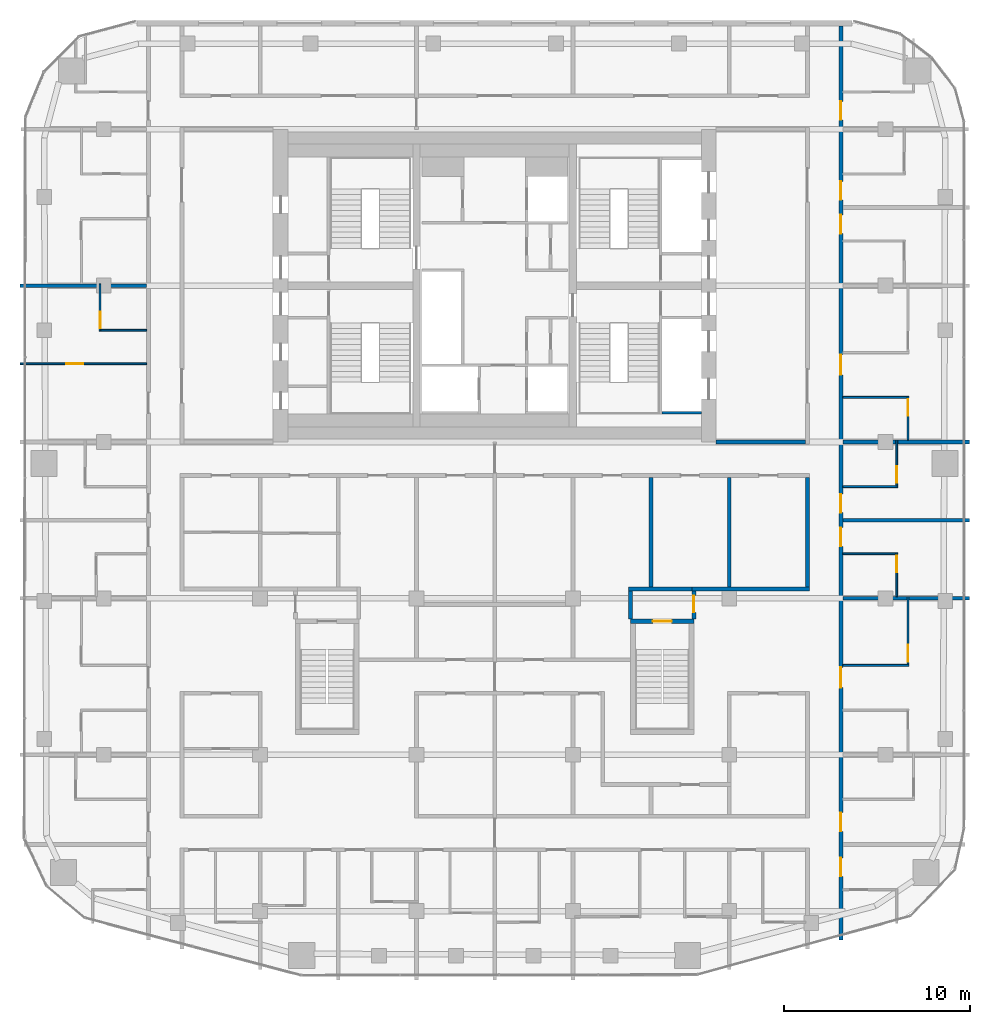
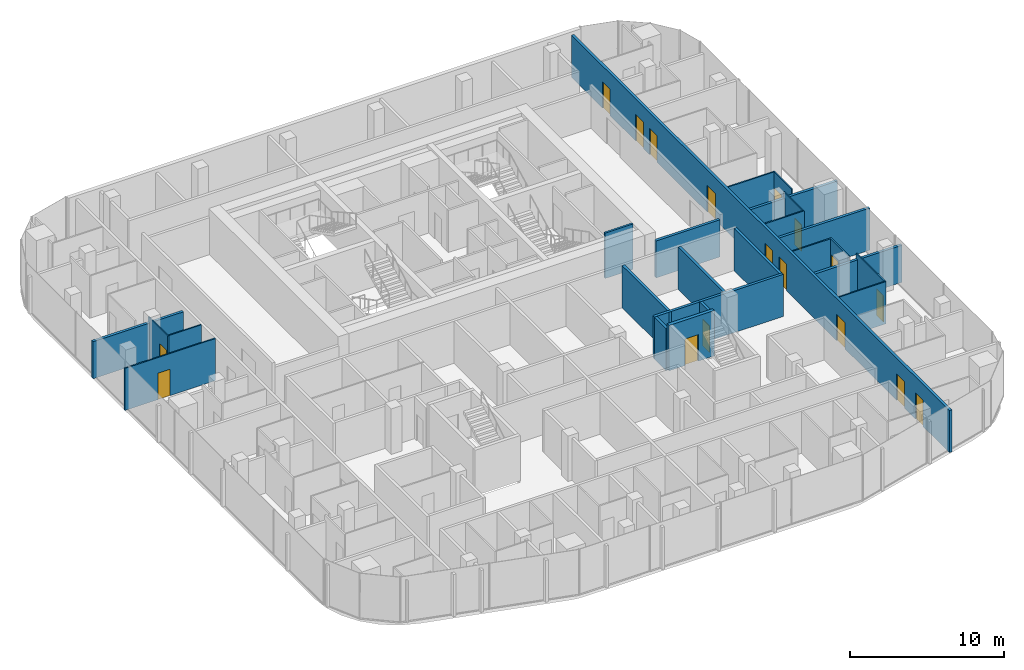
# One storey, part 17 of 22: 26 walls, 17 doors, 17 openings.
"""IFC4 building model written with IfcOpenShell, lengths in metres."""

from ifc_helpers import new_model, si_unit, direction, frame, frame_2d, origin, place, context, subcontext, project, spatial, rectangle, extrude, material, layer, layer_set, type_object, element, fill, save


model = new_model("IFC4")

# Units and contexts
model_context = context("Model", 3, precision=1e-05, world=origin(), true_north=direction((0.0, 1.0)))
body_context = subcontext(model_context, "Body", "Model", "MODEL_VIEW")
ifc_project = project(units=[si_unit("LENGTHUNIT", "METRE"), si_unit("AREAUNIT", "SQUARE_METRE"), si_unit("VOLUMEUNIT", "CUBIC_METRE"), si_unit("PLANEANGLEUNIT", "RADIAN"), si_unit("MASSUNIT", "GRAM", prefix="KILO")], contexts=[model_context])

# Site, building, storey
site_placement = place(None, origin())
site = spatial("IfcSite", under=ifc_project, at=site_placement, CompositionType="ELEMENT")
building_placement = place(site_placement, origin())
building = spatial("IfcBuilding", under=site, at=building_placement, Name="Marenta Gate Hotel Tower", CompositionType="ELEMENT")
storey_placement = place(building_placement, frame((0.0, 0.0, 209.300048828125)))
storey = spatial("IfcBuildingStorey", under=building, at=storey_placement, Name="L48", CompositionType="ELEMENT", Elevation=209.300048828125)

# Walls
ifc_material_1 = material(Name="Concrete blockwork", Category="masonry")
ifc_layer_1 = layer(ifc_material_1, 0.199951171875)
ifc_layer_set_1 = layer_set([ifc_layer_1], Name="Concrete blockwork")
wall_type_1 = type_object("IfcWallType", Name="Core boundary wall 200 REI 180", PredefinedType="PARTITIONING", material=ifc_layer_set_1)
wall_1_placement = place(storey_placement, frame((11.89990234375, 0.0, 0.0), z_axis=(0.0, 0.0, 1.0), x_axis=(1.0, 0.0, 0.0)))
element("IfcWall", 1, at=wall_1_placement, inside=storey, type_object=wall_type_1, Name="L48-CP-EW-ES", PredefinedType="PARTITIONING", context=body_context, shape_type="SweptSolid", body=[
    extrude(rectangle(XDim=4.800048828125, YDim=0.199951171875, at=frame_2d((2.39990234375, 0.0))), origin(), (0.0, 0.0, 1.0), 2.93994140625),
])
ifc_material_2 = material(Name="Concrete C40", Category="concrete")
ifc_layer_2 = layer(ifc_material_2, 0.14990234375)
ifc_layer_set_2 = layer_set([ifc_layer_2], Name="Concrete C40")
wall_type_2 = type_object("IfcWallType", Name="Core shaft wall 150 REI 180", PredefinedType="SHEAR", material=ifc_layer_set_2)
wall_2_placement = place(storey_placement, frame((9.0, 1.574951171875, 0.0), z_axis=(0.0, 0.0, 1.0), x_axis=(1.0, 0.0, 0.0)))
element("IfcWall", 2, at=wall_2_placement, inside=storey, type_object=wall_type_2, Name="L48-SHF-SW-ES-5", PredefinedType="SHEAR", context=body_context, shape_type="SweptSolid", body=[
    extrude(rectangle(XDim=2.10009765625, YDim=0.14990234375, at=frame_2d((1.050048828125, 0.0))), origin(), (0.0, 0.0, 1.0), 3.599853515625),
])

# Wall, opening, door
ifc_material_3 = material(Name="Concrete C40", Category="concrete")
ifc_layer_3 = layer(ifc_material_3, 0.25)
ifc_layer_set_3 = layer_set([ifc_layer_3], Name="Concrete C40")
wall_type_3 = type_object("IfcWallType", Name="Remote stair enclosure wall 250 REI 180", PredefinedType="SHEAR", material=ifc_layer_set_3)
wall_3_placement = place(storey_placement, frame((7.300048828125, -9.625, 0.099853515625), z_axis=(0.0, 0.0, 1.0), x_axis=(1.0, 0.0, 0.0)))
wall_3 = element("IfcWall", 3, at=wall_3_placement, inside=storey, type_object=wall_type_3, Name="L48-RS-Z3-2-W2", PredefinedType="SHEAR", context=body_context, shape_type="SweptSolid", body=[
    extrude(rectangle(XDim=3.39990234375, YDim=0.25, at=frame_2d((1.699951171875, 0.0))), origin(), (0.0, 0.0, 1.0), 3.60009765625),
])
opening_1_placement = place(wall_3_placement, frame((1.199951171875, 0.0, 0.0)))
opening_1 = element("IfcOpeningElement", 4, at=opening_1_placement, cuts=wall_3, Name="Opening VD", PredefinedType="OPENING", context=body_context, shape_type="SweptSolid", body=[
    extrude(rectangle(XDim=1.0, YDim=2.10009765625, at=frame_2d((0.5, 1.050048828125))), frame((0.0, 0.125, 0.0), z_axis=(0.0, -1.0, 0.0), x_axis=(1.0, 0.0, 0.0)), (0.0, 0.0, 1.0), 0.25),
])
ifc_material_4 = material(Name="Steel", Category="steel")
door_type_1 = type_object("IfcDoorType", Name="Stair vestibule door 1000x2100 FD60", OperationType="SINGLE_SWING_LEFT", PredefinedType="DOOR", material=ifc_material_4)
door_1_placement = place(opening_1_placement, origin())
door_1 = element("IfcDoor", 5, at=door_1_placement, inside=storey, type_object=door_type_1, Name="VD", OperationType="SINGLE_SWING_LEFT", OverallHeight=2.10009765625, OverallWidth=1.0, PredefinedType="DOOR", context=body_context, shape_type="SweptSolid", body=[
    extrude(rectangle(XDim=1.0, YDim=2.10009765625, at=frame_2d((0.5, 1.050048828125))), frame((0.0, 0.02490234375, 0.0), z_axis=(0.0, -1.0, 0.0), x_axis=(1.0, 0.0, 0.0)), (0.0, 0.0, 1.0), 0.050048828125),
])
fill(opening_1, door_1)

# Wall, openings, doors
ifc_material_5 = material(Name="Gypsum board on steel stud", Category="steel")
ifc_layer_4 = layer(ifc_material_5, 0.199951171875)
ifc_layer_set_4 = layer_set([ifc_layer_4], Name="Gypsum board on steel stud")
wall_type_4 = type_object("IfcWallType", Name="Room corridor wall 200 EI 60", PredefinedType="PARTITIONING", material=ifc_layer_set_4)
wall_4_placement = place(storey_placement, frame((18.60009765625, -26.7509765625, 0.0), z_axis=(0.0, 0.0, 1.0), x_axis=(0.0, 1.0, 0.0)))
wall_4 = element("IfcWall", 6, at=wall_4_placement, inside=storey, type_object=wall_type_4, Name="L48-PTN-W029", PredefinedType="PARTITIONING", context=body_context, shape_type="SweptSolid", body=[
    extrude(rectangle(XDim=49.091064453125, YDim=0.199951171875, at=frame_2d((24.54541015625, 0.0))), origin(), (0.0, 0.0, 1.0), 3.33984375),
])
opening_2_placement = place(wall_4_placement, frame((3.4130859375, 0.0, 0.0)))
opening_2 = element("IfcOpeningElement", 7, at=opening_2_placement, cuts=wall_4, Name="Opening G17-16", PredefinedType="OPENING", context=body_context, shape_type="SweptSolid", body=[
    extrude(rectangle(XDim=1.0, YDim=2.10009765625, at=frame_2d((0.5, 1.050048828125))), frame((0.0, 0.10009765625, 0.0), z_axis=(0.0, -1.0, 0.0), x_axis=(1.0, 0.0, 0.0)), (0.0, 0.0, 1.0), 0.199951171875),
])
opening_3_placement = place(wall_4_placement, frame((5.837890625, 0.0, 0.0)))
opening_3 = element("IfcOpeningElement", 8, at=opening_3_placement, cuts=wall_4, Name="Opening G17-18", PredefinedType="OPENING", context=body_context, shape_type="SweptSolid", body=[
    extrude(rectangle(XDim=1.0, YDim=2.10009765625, at=frame_2d((0.5, 1.050048828125))), frame((0.0, 0.10009765625, 0.0), z_axis=(0.0, -1.0, 0.0), x_axis=(1.0, 0.0, 0.0)), (0.0, 0.0, 1.0), 0.199951171875),
])
opening_4_placement = place(wall_4_placement, frame((13.551025390625, 0.0, 0.0)))
opening_4 = element("IfcOpeningElement", 9, at=opening_4_placement, cuts=wall_4, Name="Opening G17-20", PredefinedType="OPENING", context=body_context, shape_type="SweptSolid", body=[
    extrude(rectangle(XDim=1.10009765625, YDim=2.10009765625, at=frame_2d((0.550048828125, 1.050048828125))), frame((0.0, 0.10009765625, 0.0), z_axis=(0.0, -1.0, 0.0), x_axis=(1.0, 0.0, 0.0)), (0.0, 0.0, 1.0), 0.199951171875),
])
opening_5_placement = place(wall_4_placement, frame((21.15087890625, 0.0, 0.0)))
opening_5 = element("IfcOpeningElement", 10, at=opening_5_placement, cuts=wall_4, Name="Opening G17-23", PredefinedType="OPENING", context=body_context, shape_type="SweptSolid", body=[
    extrude(rectangle(XDim=1.0, YDim=2.10009765625, at=frame_2d((0.5, 1.050048828125))), frame((0.0, 0.10009765625, 0.0), z_axis=(0.0, -1.0, 0.0), x_axis=(1.0, 0.0, 0.0)), (0.0, 0.0, 1.0), 0.199951171875),
])
opening_6_placement = place(wall_4_placement, frame((22.950927734375, 0.0, 0.0)))
opening_6 = element("IfcOpeningElement", 11, at=opening_6_placement, cuts=wall_4, Name="Opening G17-25", PredefinedType="OPENING", context=body_context, shape_type="SweptSolid", body=[
    extrude(rectangle(XDim=1.0, YDim=2.10009765625, at=frame_2d((0.5, 1.050048828125))), frame((0.0, 0.10009765625, 0.0), z_axis=(0.0, -1.0, 0.0), x_axis=(1.0, 0.0, 0.0)), (0.0, 0.0, 1.0), 0.199951171875),
])
opening_7_placement = place(wall_4_placement, frame((30.35107421875, 0.0, 0.0)))
opening_7 = element("IfcOpeningElement", 12, at=opening_7_placement, cuts=wall_4, Name="Opening G17-27", PredefinedType="OPENING", context=body_context, shape_type="SweptSolid", body=[
    extrude(rectangle(XDim=1.10009765625, YDim=2.10009765625, at=frame_2d((0.550048828125, 1.050048828125))), frame((0.0, 0.10009765625, 0.0), z_axis=(0.0, -1.0, 0.0), x_axis=(1.0, 0.0, 0.0)), (0.0, 0.0, 1.0), 0.199951171875),
])
opening_8_placement = place(wall_4_placement, frame((37.950927734375, 0.0, 0.0)))
opening_8 = element("IfcOpeningElement", 13, at=opening_8_placement, cuts=wall_4, Name="Opening G17-30", PredefinedType="OPENING", context=body_context, shape_type="SweptSolid", body=[
    extrude(rectangle(XDim=1.0, YDim=2.10009765625, at=frame_2d((0.5, 1.050048828125))), frame((0.0, 0.10009765625, 0.0), z_axis=(0.0, -1.0, 0.0), x_axis=(1.0, 0.0, 0.0)), (0.0, 0.0, 1.0), 0.199951171875),
])
opening_9_placement = place(wall_4_placement, frame((39.7509765625, 0.0, 0.0)))
opening_9 = element("IfcOpeningElement", 14, at=opening_9_placement, cuts=wall_4, Name="Opening G17-32", PredefinedType="OPENING", context=body_context, shape_type="SweptSolid", body=[
    extrude(rectangle(XDim=1.0, YDim=2.10009765625, at=frame_2d((0.5, 1.050048828125))), frame((0.0, 0.10009765625, 0.0), z_axis=(0.0, -1.0, 0.0), x_axis=(1.0, 0.0, 0.0)), (0.0, 0.0, 1.0), 0.199951171875),
])
opening_10_placement = place(wall_4_placement, frame((44.051025390625, 0.0, 0.0)))
opening_10 = element("IfcOpeningElement", 15, at=opening_10_placement, cuts=wall_4, Name="Opening G17-34", PredefinedType="OPENING", context=body_context, shape_type="SweptSolid", body=[
    extrude(rectangle(XDim=1.0, YDim=2.10009765625, at=frame_2d((0.5, 1.050048828125))), frame((0.0, 0.10009765625, 0.0), z_axis=(0.0, -1.0, 0.0), x_axis=(1.0, 0.0, 0.0)), (0.0, 0.0, 1.0), 0.199951171875),
])
ifc_material_6 = material(Name="Timber door leaf", Category="wood")
door_type_2 = type_object("IfcDoorType", Name="Guest room door 1000x2100 EI 30", OperationType="NOTDEFINED", PredefinedType="DOOR", material=ifc_material_6)
door_2_placement = place(opening_2_placement, origin())
door_2 = element("IfcDoor", 16, at=door_2_placement, inside=storey, type_object=door_type_2, Name="L48-PD-D016", OperationType="SINGLE_SWING_RIGHT", OverallHeight=2.10009765625, OverallWidth=1.0, PredefinedType="DOOR", context=body_context, shape_type="SweptSolid", body=[
    extrude(rectangle(XDim=1.0, YDim=2.10009765625, at=frame_2d((0.5, 1.050048828125))), frame((0.0, 0.02490234375, 0.0), z_axis=(0.0, -1.0, 0.0), x_axis=(1.0, 0.0, 0.0)), (0.0, 0.0, 1.0), 0.050048828125),
])
fill(opening_2, door_2)
door_3_placement = place(opening_3_placement, origin())
door_3 = element("IfcDoor", 17, at=door_3_placement, inside=storey, type_object=door_type_2, Name="L48-PD-D018", OperationType="SINGLE_SWING_RIGHT", OverallHeight=2.10009765625, OverallWidth=1.0, PredefinedType="DOOR", context=body_context, shape_type="SweptSolid", body=[
    extrude(rectangle(XDim=1.0, YDim=2.10009765625, at=frame_2d((0.5, 1.050048828125))), frame((0.0, 0.02490234375, 0.0), z_axis=(0.0, -1.0, 0.0), x_axis=(1.0, 0.0, 0.0)), (0.0, 0.0, 1.0), 0.050048828125),
])
fill(opening_3, door_3)
door_4_placement = place(opening_5_placement, origin())
door_4 = element("IfcDoor", 18, at=door_4_placement, inside=storey, type_object=door_type_2, Name="L48-PD-D023", OperationType="SINGLE_SWING_LEFT", OverallHeight=2.10009765625, OverallWidth=1.0, PredefinedType="DOOR", context=body_context, shape_type="SweptSolid", body=[
    extrude(rectangle(XDim=1.0, YDim=2.10009765625, at=frame_2d((0.5, 1.050048828125))), frame((0.0, 0.02490234375, 0.0), z_axis=(0.0, -1.0, 0.0), x_axis=(1.0, 0.0, 0.0)), (0.0, 0.0, 1.0), 0.050048828125),
])
fill(opening_5, door_4)
door_5_placement = place(opening_6_placement, origin())
door_5 = element("IfcDoor", 19, at=door_5_placement, inside=storey, type_object=door_type_2, Name="L48-PD-D025", OperationType="SINGLE_SWING_LEFT", OverallHeight=2.10009765625, OverallWidth=1.0, PredefinedType="DOOR", context=body_context, shape_type="SweptSolid", body=[
    extrude(rectangle(XDim=1.0, YDim=2.10009765625, at=frame_2d((0.5, 1.050048828125))), frame((0.0, 0.02490234375, 0.0), z_axis=(0.0, -1.0, 0.0), x_axis=(1.0, 0.0, 0.0)), (0.0, 0.0, 1.0), 0.050048828125),
])
fill(opening_6, door_5)
door_6_placement = place(opening_8_placement, origin())
door_6 = element("IfcDoor", 20, at=door_6_placement, inside=storey, type_object=door_type_2, Name="L48-PD-D030", OperationType="SINGLE_SWING_RIGHT", OverallHeight=2.10009765625, OverallWidth=1.0, PredefinedType="DOOR", context=body_context, shape_type="SweptSolid", body=[
    extrude(rectangle(XDim=1.0, YDim=2.10009765625, at=frame_2d((0.5, 1.050048828125))), frame((0.0, 0.02490234375, 0.0), z_axis=(0.0, -1.0, 0.0), x_axis=(1.0, 0.0, 0.0)), (0.0, 0.0, 1.0), 0.050048828125),
])
fill(opening_8, door_6)
door_7_placement = place(opening_9_placement, origin())
door_7 = element("IfcDoor", 21, at=door_7_placement, inside=storey, type_object=door_type_2, Name="L48-PD-D032", OperationType="SINGLE_SWING_RIGHT", OverallHeight=2.10009765625, OverallWidth=1.0, PredefinedType="DOOR", context=body_context, shape_type="SweptSolid", body=[
    extrude(rectangle(XDim=1.0, YDim=2.10009765625, at=frame_2d((0.5, 1.050048828125))), frame((0.0, 0.02490234375, 0.0), z_axis=(0.0, -1.0, 0.0), x_axis=(1.0, 0.0, 0.0)), (0.0, 0.0, 1.0), 0.050048828125),
])
fill(opening_9, door_7)
door_8_placement = place(opening_10_placement, origin())
door_8 = element("IfcDoor", 22, at=door_8_placement, inside=storey, type_object=door_type_2, Name="L48-PD-D034", OperationType="SINGLE_SWING_RIGHT", OverallHeight=2.10009765625, OverallWidth=1.0, PredefinedType="DOOR", context=body_context, shape_type="SweptSolid", body=[
    extrude(rectangle(XDim=1.0, YDim=2.10009765625, at=frame_2d((0.5, 1.050048828125))), frame((0.0, 0.02490234375, 0.0), z_axis=(0.0, -1.0, 0.0), x_axis=(1.0, 0.0, 0.0)), (0.0, 0.0, 1.0), 0.050048828125),
])
fill(opening_10, door_8)
ifc_material_7 = material(Name="Timber door leaf", Category="wood")
door_type_3 = type_object("IfcDoorType", Name="Guest room door 1100x2100 EI 30", OperationType="NOTDEFINED", PredefinedType="DOOR", material=ifc_material_7)
door_9_placement = place(opening_4_placement, origin())
door_9 = element("IfcDoor", 23, at=door_9_placement, inside=storey, type_object=door_type_3, Name="L48-PD-D020", OperationType="SINGLE_SWING_LEFT", OverallHeight=2.10009765625, OverallWidth=1.10009765625, PredefinedType="DOOR", context=body_context, shape_type="SweptSolid", body=[
    extrude(rectangle(XDim=1.10009765625, YDim=2.10009765625, at=frame_2d((0.550048828125, 1.050048828125))), frame((0.0, 0.02490234375, 0.0), z_axis=(0.0, -1.0, 0.0), x_axis=(1.0, 0.0, 0.0)), (0.0, 0.0, 1.0), 0.050048828125),
])
fill(opening_4, door_9)
door_10_placement = place(opening_7_placement, origin())
door_10 = element("IfcDoor", 24, at=door_10_placement, inside=storey, type_object=door_type_3, Name="L48-PD-D027", OperationType="SINGLE_SWING_LEFT", OverallHeight=2.10009765625, OverallWidth=1.10009765625, PredefinedType="DOOR", context=body_context, shape_type="SweptSolid", body=[
    extrude(rectangle(XDim=1.10009765625, YDim=2.10009765625, at=frame_2d((0.550048828125, 1.050048828125))), frame((0.0, 0.02490234375, 0.0), z_axis=(0.0, -1.0, 0.0), x_axis=(1.0, 0.0, 0.0)), (0.0, 0.0, 1.0), 0.050048828125),
])
fill(opening_7, door_10)

# Walls
wall_5_placement = place(storey_placement, frame((16.800048828125, -7.800048828125, 0.0), z_axis=(0.0, 0.0, 1.0), x_axis=(0.0, 1.0, 0.0)))
element("IfcWall", 25, at=wall_5_placement, inside=storey, type_object=wall_type_4, Name="L48-PTN-W033", PredefinedType="PARTITIONING", context=body_context, shape_type="SweptSolid", body=[
    extrude(rectangle(XDim=5.900146484375, YDim=0.199951171875, at=frame_2d((2.9501953125, 0.0))), origin(), (0.0, 0.0, 1.0), 3.33984375),
])
wall_6_placement = place(storey_placement, frame((10.60009765625, -7.89990234375, 0.0), z_axis=(0.0, 0.0, 1.0), x_axis=(1.0, 0.0, 0.0)))
element("IfcWall", 26, at=wall_6_placement, inside=storey, type_object=wall_type_4, Name="L48-PTN-W060", PredefinedType="PARTITIONING", context=body_context, shape_type="SweptSolid", body=[
    extrude(rectangle(XDim=6.2998046875, YDim=0.199951171875, at=frame_2d((3.14990234375, 0.0))), origin(), (0.0, 0.0, 1.0), 3.33984375),
])

# Wall, opening, door
ifc_material_8 = material(Name="Concrete blockwork", Category="masonry")
ifc_layer_5 = layer(ifc_material_8, 0.199951171875)
ifc_layer_set_5 = layer_set([ifc_layer_5], Name="Concrete blockwork")
wall_type_5 = type_object("IfcWallType", Name="Room corridor wall 200 REI 180", PredefinedType="PARTITIONING", material=ifc_layer_set_5)
wall_7_placement = place(storey_placement, frame((10.699951171875, -9.5, 0.0), z_axis=(0.0, 0.0, 1.0), x_axis=(0.0, 1.0, 0.0)))
wall_7 = element("IfcWall", 27, at=wall_7_placement, inside=storey, type_object=wall_type_5, Name="L48-PTN-W052", PredefinedType="PARTITIONING", context=body_context, shape_type="SweptSolid", body=[
    extrude(rectangle(XDim=1.5, YDim=0.199951171875, at=frame_2d((0.75, 0.0))), origin(), (0.0, 0.0, 1.0), 3.33984375),
])
opening_11_placement = place(wall_7_placement, frame((0.35009765625, 0.0, 0.0)))
opening_11 = element("IfcOpeningElement", 28, at=opening_11_placement, cuts=wall_7, Name="Opening G17-76", PredefinedType="OPENING", context=body_context, shape_type="SweptSolid", body=[
    extrude(rectangle(XDim=0.89990234375, YDim=2.10009765625, at=frame_2d((0.449951171875, 1.050048828125))), frame((0.0, 0.10009765625, 0.0), z_axis=(0.0, -1.0, 0.0), x_axis=(1.0, 0.0, 0.0)), (0.0, 0.0, 1.0), 0.199951171875),
])
ifc_material_9 = material(Name="Hollow steel door set", Category="steel")
door_type_4 = type_object("IfcDoorType", Name="Stair vestibule door 900x2100 EI 60", OperationType="NOTDEFINED", PredefinedType="DOOR", material=ifc_material_9)
door_11_placement = place(opening_11_placement, origin())
door_11 = element("IfcDoor", 29, at=door_11_placement, inside=storey, type_object=door_type_4, Name="L48-PD-D076", OperationType="SINGLE_SWING_RIGHT", OverallHeight=2.10009765625, OverallWidth=0.89990234375, PredefinedType="DOOR", context=body_context, shape_type="SweptSolid", body=[
    extrude(rectangle(XDim=0.89990234375, YDim=2.10009765625, at=frame_2d((0.449951171875, 1.050048828125))), frame((0.0, 0.02490234375, 0.0), z_axis=(0.0, -1.0, 0.0), x_axis=(1.0, 0.0, 0.0)), (0.0, 0.0, 1.0), 0.050048828125),
])
fill(opening_11, door_11)

ifc_material_10 = material(Name="Gypsum board on steel stud", Category="steel")
ifc_layer_6 = layer(ifc_material_10, 0.10009765625)
ifc_layer_set_6 = layer_set([ifc_layer_6], Name="Gypsum board on steel stud")
wall_type_6 = type_object("IfcWallType", Name="Room partition 100", PredefinedType="PARTITIONING", material=ifc_layer_set_6)
wall_8_placement = place(storey_placement, frame((22.199951171875, -11.949951171875, 0.0), z_axis=(0.0, 0.0, 1.0), x_axis=(0.0, 1.0, 0.0)))
wall_8 = element("IfcWall", 30, at=wall_8_placement, inside=storey, type_object=wall_type_6, Name="L48-PTN-W014", PredefinedType="PARTITIONING", context=body_context, shape_type="SweptSolid", body=[
    extrude(rectangle(XDim=3.64990234375, YDim=0.10009765625, at=frame_2d((1.824951171875, 0.0))), origin(), (0.0, 0.0, 1.0), 3.33984375),
])
opening_12_placement = place(wall_8_placement, frame((0.14990234375, 0.0, 0.0)))
opening_12 = element("IfcOpeningElement", 31, at=opening_12_placement, cuts=wall_8, Name="Opening G17-21", PredefinedType="OPENING", context=body_context, shape_type="SweptSolid", body=[
    extrude(rectangle(XDim=0.89990234375, YDim=2.10009765625, at=frame_2d((0.449951171875, 1.050048828125))), frame((0.0, 0.050048828125, 0.0), z_axis=(0.0, -1.0, 0.0), x_axis=(1.0, 0.0, 0.0)), (0.0, 0.0, 1.0), 0.10009765625),
])
ifc_material_11 = material(Name="Timber door leaf", Category="wood")
door_type_5 = type_object("IfcDoorType", Name="Guest bathroom door 900x2100", OperationType="NOTDEFINED", PredefinedType="DOOR", material=ifc_material_11)
door_12_placement = place(opening_12_placement, origin())
door_12 = element("IfcDoor", 32, at=door_12_placement, inside=storey, type_object=door_type_5, Name="L48-PD-D021", OperationType="SINGLE_SWING_LEFT", OverallHeight=2.10009765625, OverallWidth=0.89990234375, PredefinedType="DOOR", context=body_context, shape_type="SweptSolid", body=[
    extrude(rectangle(XDim=0.89990234375, YDim=2.10009765625, at=frame_2d((0.449951171875, 1.050048828125))), frame((0.0, 0.02490234375, 0.0), z_axis=(0.0, -1.0, 0.0), x_axis=(1.0, 0.0, 0.0)), (0.0, 0.0, 1.0), 0.050048828125),
])
fill(opening_12, door_12)

wall_9_placement = place(storey_placement, frame((22.199951171875, 0.10009765625, 0.0), z_axis=(0.0, 0.0, 1.0), x_axis=(0.0, 1.0, 0.0)))
wall_9 = element("IfcWall", 33, at=wall_9_placement, inside=storey, type_object=wall_type_6, Name="L48-PTN-W015", PredefinedType="PARTITIONING", context=body_context, shape_type="SweptSolid", body=[
    extrude(rectangle(XDim=2.349853515625, YDim=0.10009765625, at=frame_2d((1.1748046875, 0.0))), origin(), (0.0, 0.0, 1.0), 3.33984375),
])
opening_13_placement = place(wall_9_placement, frame((1.300048828125, 0.0, 0.0)))
opening_13 = element("IfcOpeningElement", 34, at=opening_13_placement, cuts=wall_9, Name="Opening G17-29", PredefinedType="OPENING", context=body_context, shape_type="SweptSolid", body=[
    extrude(rectangle(XDim=0.89990234375, YDim=2.10009765625, at=frame_2d((0.449951171875, 1.050048828125))), frame((0.0, 0.050048828125, 0.0), z_axis=(0.0, -1.0, 0.0), x_axis=(1.0, 0.0, 0.0)), (0.0, 0.0, 1.0), 0.10009765625),
])
ifc_material_12 = material(Name="Timber door leaf", Category="wood")
door_type_6 = type_object("IfcDoorType", Name="Room inner door 900x2100", OperationType="NOTDEFINED", PredefinedType="DOOR", material=ifc_material_12)
door_13_placement = place(opening_13_placement, origin())
door_13 = element("IfcDoor", 35, at=door_13_placement, inside=storey, type_object=door_type_6, Name="L48-PD-D029", OperationType="SINGLE_SWING_RIGHT", OverallHeight=2.10009765625, OverallWidth=0.89990234375, PredefinedType="DOOR", context=body_context, shape_type="SweptSolid", body=[
    extrude(rectangle(XDim=0.89990234375, YDim=2.10009765625, at=frame_2d((0.449951171875, 1.050048828125))), frame((0.0, 0.02490234375, 0.0), z_axis=(0.0, -1.0, 0.0), x_axis=(1.0, 0.0, 0.0)), (0.0, 0.0, 1.0), 0.050048828125),
])
fill(opening_13, door_13)

wall_10_placement = place(storey_placement, frame((21.60009765625, -8.300048828125, 0.0), z_axis=(0.0, 0.0, 1.0), x_axis=(0.0, 1.0, 0.0)))
wall_10 = element("IfcWall", 36, at=wall_10_placement, inside=storey, type_object=wall_type_6, Name="L48-PTN-W023", PredefinedType="PARTITIONING", context=body_context, shape_type="SweptSolid", body=[
    extrude(rectangle(XDim=2.35009765625, YDim=0.10009765625, at=frame_2d((1.175048828125, 0.0))), origin(), (0.0, 0.0, 1.0), 3.33984375),
])
opening_14_placement = place(wall_10_placement, frame((1.300048828125, 0.0, 0.0)))
opening_14 = element("IfcOpeningElement", 37, at=opening_14_placement, cuts=wall_10, Name="Opening G17-24", PredefinedType="OPENING", context=body_context, shape_type="SweptSolid", body=[
    extrude(rectangle(XDim=0.89990234375, YDim=2.10009765625, at=frame_2d((0.449951171875, 1.050048828125))), frame((0.0, 0.050048828125, 0.0), z_axis=(0.0, -1.0, 0.0), x_axis=(1.0, 0.0, 0.0)), (0.0, 0.0, 1.0), 0.10009765625),
])
door_14_placement = place(opening_14_placement, origin())
door_14 = element("IfcDoor", 38, at=door_14_placement, inside=storey, type_object=door_type_5, Name="L48-PD-D024", OperationType="SINGLE_SWING_RIGHT", OverallHeight=2.10009765625, OverallWidth=0.89990234375, PredefinedType="DOOR", context=body_context, shape_type="SweptSolid", body=[
    extrude(rectangle(XDim=0.89990234375, YDim=2.10009765625, at=frame_2d((0.449951171875, 1.050048828125))), frame((0.0, 0.02490234375, 0.0), z_axis=(0.0, -1.0, 0.0), x_axis=(1.0, 0.0, 0.0)), (0.0, 0.0, 1.0), 0.050048828125),
])
fill(opening_14, door_14)

wall_11_placement = place(storey_placement, frame((21.60009765625, -2.35009765625, 0.0), z_axis=(0.0, 0.0, 1.0), x_axis=(0.0, 1.0, 0.0)))
wall_11 = element("IfcWall", 39, at=wall_11_placement, inside=storey, type_object=wall_type_6, Name="L48-PTN-W024", PredefinedType="PARTITIONING", context=body_context, shape_type="SweptSolid", body=[
    extrude(rectangle(XDim=2.4501953125, YDim=0.10009765625, at=frame_2d((1.22509765625, 0.0))), origin(), (0.0, 0.0, 1.0), 3.33984375),
])
opening_15_placement = place(wall_11_placement, frame((0.14990234375, 0.0, 0.0)))
opening_15 = element("IfcOpeningElement", 40, at=opening_15_placement, cuts=wall_11, Name="Opening G17-26", PredefinedType="OPENING", context=body_context, shape_type="SweptSolid", body=[
    extrude(rectangle(XDim=0.89990234375, YDim=2.10009765625, at=frame_2d((0.449951171875, 1.050048828125))), frame((0.0, 0.050048828125, 0.0), z_axis=(0.0, -1.0, 0.0), x_axis=(1.0, 0.0, 0.0)), (0.0, 0.0, 1.0), 0.10009765625),
])
door_15_placement = place(opening_15_placement, origin())
door_15 = element("IfcDoor", 41, at=door_15_placement, inside=storey, type_object=door_type_5, Name="L48-PD-D026", OperationType="SINGLE_SWING_LEFT", OverallHeight=2.10009765625, OverallWidth=0.89990234375, PredefinedType="DOOR", context=body_context, shape_type="SweptSolid", body=[
    extrude(rectangle(XDim=0.89990234375, YDim=2.10009765625, at=frame_2d((0.449951171875, 1.050048828125))), frame((0.0, 0.02490234375, 0.0), z_axis=(0.0, -1.0, 0.0), x_axis=(1.0, 0.0, 0.0)), (0.0, 0.0, 1.0), 0.050048828125),
])
fill(opening_15, door_15)

# Walls
wall_12_placement = place(storey_placement, frame((18.699951171875, -12.0, 0.0), z_axis=(0.0, 0.0, 1.0), x_axis=(1.0, 0.0, 0.0)))
element("IfcWall", 42, at=wall_12_placement, inside=storey, type_object=wall_type_6, Name="L48-PTN-W050", PredefinedType="PARTITIONING", context=body_context, shape_type="SweptSolid", body=[
    extrude(rectangle(XDim=3.550048828125, YDim=0.10009765625, at=frame_2d((1.77490234375, 0.0))), origin(), (0.0, 0.0, 1.0), 3.33984375),
])
wall_13_placement = place(storey_placement, frame((18.699951171875, -6.0, 0.0), z_axis=(0.0, 0.0, 1.0), x_axis=(1.0, 0.0, 0.0)))
element("IfcWall", 43, at=wall_13_placement, inside=storey, type_object=wall_type_6, Name="L48-PTN-W066", PredefinedType="PARTITIONING", context=body_context, shape_type="SweptSolid", body=[
    extrude(rectangle(XDim=2.85009765625, YDim=0.10009765625, at=frame_2d((1.425048828125, 0.0))), origin(), (0.0, 0.0, 1.0), 3.33984375),
])
wall_14_placement = place(storey_placement, frame((18.699951171875, -2.39990234375, 0.0), z_axis=(0.0, 0.0, 1.0), x_axis=(1.0, 0.0, 0.0)))
element("IfcWall", 44, at=wall_14_placement, inside=storey, type_object=wall_type_6, Name="L48-PTN-W078", PredefinedType="PARTITIONING", context=body_context, shape_type="SweptSolid", body=[
    extrude(rectangle(XDim=2.949951171875, YDim=0.10009765625, at=frame_2d((1.47509765625, 0.0))), origin(), (0.0, 0.0, 1.0), 3.33984375),
])
wall_15_placement = place(storey_placement, frame((18.699951171875, 2.39990234375, 0.0), z_axis=(0.0, 0.0, 1.0), x_axis=(1.0, 0.0, 0.0)))
element("IfcWall", 45, at=wall_15_placement, inside=storey, type_object=wall_type_6, Name="L48-PTN-W086", PredefinedType="PARTITIONING", context=body_context, shape_type="SweptSolid", body=[
    extrude(rectangle(XDim=3.449951171875, YDim=0.10009765625, at=frame_2d((1.72509765625, 0.0))), origin(), (0.0, 0.0, 1.0), 3.33984375),
])

# Wall, opening, door
wall_16_placement = place(storey_placement, frame((-25.5, 4.199951171875, 0.0), z_axis=(0.0, 0.0, 1.0), x_axis=(1.0, 0.0, 0.0)))
wall_16 = element("IfcWall", 46, at=wall_16_placement, inside=storey, type_object=wall_type_6, Name="L48-PTN-W091", PredefinedType="PARTITIONING", context=body_context, shape_type="SweptSolid", body=[
    extrude(rectangle(XDim=6.800048828125, YDim=0.10009765625, at=frame_2d((3.39990234375, 0.0))), origin(), (0.0, 0.0, 1.0), 3.33984375),
])
opening_16_placement = place(wall_16_placement, frame((2.489990234375, 0.0, 0.0)))
opening_16 = element("IfcOpeningElement", 47, at=opening_16_placement, cuts=wall_16, Name="Opening G17-68", PredefinedType="OPENING", context=body_context, shape_type="SweptSolid", body=[
    extrude(rectangle(XDim=0.89990234375, YDim=2.10009765625, at=frame_2d((0.449951171875, 1.050048828125))), frame((0.0, 0.050048828125, 0.0), z_axis=(0.0, -1.0, 0.0), x_axis=(1.0, 0.0, 0.0)), (0.0, 0.0, 1.0), 0.10009765625),
])
door_16_placement = place(opening_16_placement, origin())
door_16 = element("IfcDoor", 48, at=door_16_placement, inside=storey, type_object=door_type_6, Name="L48-PD-D068", OperationType="SINGLE_SWING_LEFT", OverallHeight=2.10009765625, OverallWidth=0.89990234375, PredefinedType="DOOR", context=body_context, shape_type="SweptSolid", body=[
    extrude(rectangle(XDim=0.89990234375, YDim=2.10009765625, at=frame_2d((0.449951171875, 1.050048828125))), frame((0.0, 0.02490234375, 0.0), z_axis=(0.0, -1.0, 0.0), x_axis=(1.0, 0.0, 0.0)), (0.0, 0.0, 1.0), 0.050048828125),
])
fill(opening_16, door_16)

# Wall
wall_17_placement = place(storey_placement, frame((-21.14990234375, 6.0, 0.0), z_axis=(0.0, 0.0, 1.0), x_axis=(1.0, 0.0, 0.0)))
element("IfcWall", 49, at=wall_17_placement, inside=storey, type_object=wall_type_6, Name="L48-PTN-W093", PredefinedType="PARTITIONING", context=body_context, shape_type="SweptSolid", body=[
    extrude(rectangle(XDim=2.449951171875, YDim=0.10009765625, at=frame_2d((1.22509765625, 0.0))), origin(), (0.0, 0.0, 1.0), 3.33984375),
])

# Wall, opening, door
wall_18_placement = place(storey_placement, frame((-21.199951171875, 5.949951171875, 0.0), z_axis=(0.0, 0.0, 1.0), x_axis=(0.0, 1.0, 0.0)))
wall_18 = element("IfcWall", 50, at=wall_18_placement, inside=storey, type_object=wall_type_6, Name="L48-PTN-W122", PredefinedType="PARTITIONING", context=body_context, shape_type="SweptSolid", body=[
    extrude(rectangle(XDim=2.550048828125, YDim=0.10009765625, at=frame_2d((1.27490234375, 0.0))), origin(), (0.0, 0.0, 1.0), 3.33984375),
])
opening_17_placement = place(wall_18_placement, frame((0.14990234375, 0.0, 0.0)))
opening_17 = element("IfcOpeningElement", 51, at=opening_17_placement, cuts=wall_18, Name="Opening G17-69", PredefinedType="OPENING", context=body_context, shape_type="SweptSolid", body=[
    extrude(rectangle(XDim=0.89990234375, YDim=2.10009765625, at=frame_2d((0.449951171875, 1.050048828125))), frame((0.0, 0.050048828125, 0.0), z_axis=(0.0, -1.0, 0.0), x_axis=(1.0, 0.0, 0.0)), (0.0, 0.0, 1.0), 0.10009765625),
])
door_17_placement = place(opening_17_placement, origin())
door_17 = element("IfcDoor", 52, at=door_17_placement, inside=storey, type_object=door_type_5, Name="L48-PD-D069", OperationType="SINGLE_SWING_RIGHT", OverallHeight=2.10009765625, OverallWidth=0.89990234375, PredefinedType="DOOR", context=body_context, shape_type="SweptSolid", body=[
    extrude(rectangle(XDim=0.89990234375, YDim=2.10009765625, at=frame_2d((0.449951171875, 1.050048828125))), frame((0.0, 0.02490234375, 0.0), z_axis=(0.0, -1.0, 0.0), x_axis=(1.0, 0.0, 0.0)), (0.0, 0.0, 1.0), 0.050048828125),
])
fill(opening_17, door_17)

# Walls
ifc_material_13 = material(Name="Gypsum board on steel stud", Category="steel")
ifc_layer_7 = layer(ifc_material_13, 0.199951171875)
ifc_layer_set_7 = layer_set([ifc_layer_7], Name="Gypsum board on steel stud")
wall_type_7 = type_object("IfcWallType", Name="Room party wall 200 EI 60", PredefinedType="PARTITIONING", material=ifc_layer_set_7)
wall_19_placement = place(storey_placement, frame((12.60009765625, -7.800048828125, 0.0), z_axis=(0.0, 0.0, 1.0), x_axis=(0.0, 1.0, 0.0)))
element("IfcWall", 53, at=wall_19_placement, inside=storey, type_object=wall_type_7, Name="L48-PTN-W046", PredefinedType="PARTITIONING", context=body_context, shape_type="SweptSolid", body=[
    extrude(rectangle(XDim=5.900146484375, YDim=0.199951171875, at=frame_2d((2.9501953125, 0.0))), origin(), (0.0, 0.0, 1.0), 3.33984375),
])
wall_20_placement = place(storey_placement, frame((8.39990234375, -8.0, 0.0), z_axis=(0.0, 0.0, 1.0), x_axis=(0.0, 1.0, 0.0)))
element("IfcWall", 54, at=wall_20_placement, inside=storey, type_object=wall_type_7, Name="L48-PTN-W056", PredefinedType="PARTITIONING", context=body_context, shape_type="SweptSolid", body=[
    extrude(rectangle(XDim=6.10009765625, YDim=0.199951171875, at=frame_2d((3.050048828125, 0.0))), origin(), (0.0, 0.0, 1.0), 3.33984375),
])
wall_21_placement = place(storey_placement, frame((18.699951171875, -8.39990234375, 0.0), z_axis=(0.0, 0.0, 1.0), x_axis=(1.0, 0.0, 0.0)))
element("IfcWall", 55, at=wall_21_placement, inside=storey, type_object=wall_type_7, Name="L48-PTN-W058", PredefinedType="PARTITIONING", context=body_context, shape_type="SweptSolid", body=[
    extrude(rectangle(XDim=6.800048828125, YDim=0.199951171875, at=frame_2d((3.39990234375, 0.0))), origin(), (0.0, 0.0, 1.0), 2.93994140625),
])
wall_22_placement = place(storey_placement, frame((18.699951171875, -4.199951171875, 0.0), z_axis=(0.0, 0.0, 1.0), x_axis=(1.0, 0.0, 0.0)))
element("IfcWall", 56, at=wall_22_placement, inside=storey, type_object=wall_type_7, Name="L48-PTN-W075", PredefinedType="PARTITIONING", context=body_context, shape_type="SweptSolid", body=[
    extrude(rectangle(XDim=6.800048828125, YDim=0.199951171875, at=frame_2d((3.39990234375, 0.0))), origin(), (0.0, 0.0, 1.0), 3.33984375),
])
for number, where, z_axis, x_axis, name in (
    (57, (18.699951171875, 0.0, 0.0), (0.0, 0.0, 1.0), (1.0, 0.0, 0.0), "L48-PTN-W084"),
    (58, (-25.5, 8.39990234375, 0.0), (0.0, 0.0, 1.0), (1.0, 0.0, 0.0), "L48-PTN-W098"),
):
    element("IfcWall", number, at=place(storey_placement, frame(where, z_axis=z_axis, x_axis=x_axis)), inside=storey, type_object=wall_type_7, Name=name, PredefinedType="PARTITIONING", context=body_context, shape_type="SweptSolid", body=[
        extrude(rectangle(XDim=6.800048828125, YDim=0.199951171875, at=frame_2d((3.39990234375, 0.0))), origin(), (0.0, 0.0, 1.0), 2.93994140625),
    ])
ifc_material_14 = material(Name="Concrete blockwork", Category="masonry")
ifc_layer_8 = layer(ifc_material_14, 0.199951171875)
ifc_layer_set_8 = layer_set([ifc_layer_8], Name="Concrete blockwork")
wall_type_8 = type_object("IfcWallType", Name="Room party wall 200 REI 180", PredefinedType="PARTITIONING", material=ifc_layer_set_8)
wall_23_placement = place(storey_placement, frame((7.199951171875, -7.89990234375, 0.0), z_axis=(0.0, 0.0, 1.0), x_axis=(1.0, 0.0, 0.0)))
element("IfcWall", 59, at=wall_23_placement, inside=storey, type_object=wall_type_8, Name="L48-PTN-W062", PredefinedType="PARTITIONING", context=body_context, shape_type="SweptSolid", body=[
    extrude(rectangle(XDim=3.400146484375, YDim=0.199951171875, at=frame_2d((1.7001953125, 0.0))), origin(), (0.0, 0.0, 1.0), 3.33984375),
])
wall_24_placement = place(storey_placement, frame((7.300048828125, -9.5, 0.0), z_axis=(0.0, 0.0, 1.0), x_axis=(0.0, 1.0, 0.0)))
element("IfcWall", 60, at=wall_24_placement, inside=storey, type_object=wall_type_8, Name="L48-PTN-W064", PredefinedType="PARTITIONING", context=body_context, shape_type="SweptSolid", body=[
    extrude(rectangle(XDim=1.5, YDim=0.199951171875, at=frame_2d((0.75, 0.0))), origin(), (0.0, 0.0, 1.0), 3.33984375),
])

save(model, "model.ifc")
